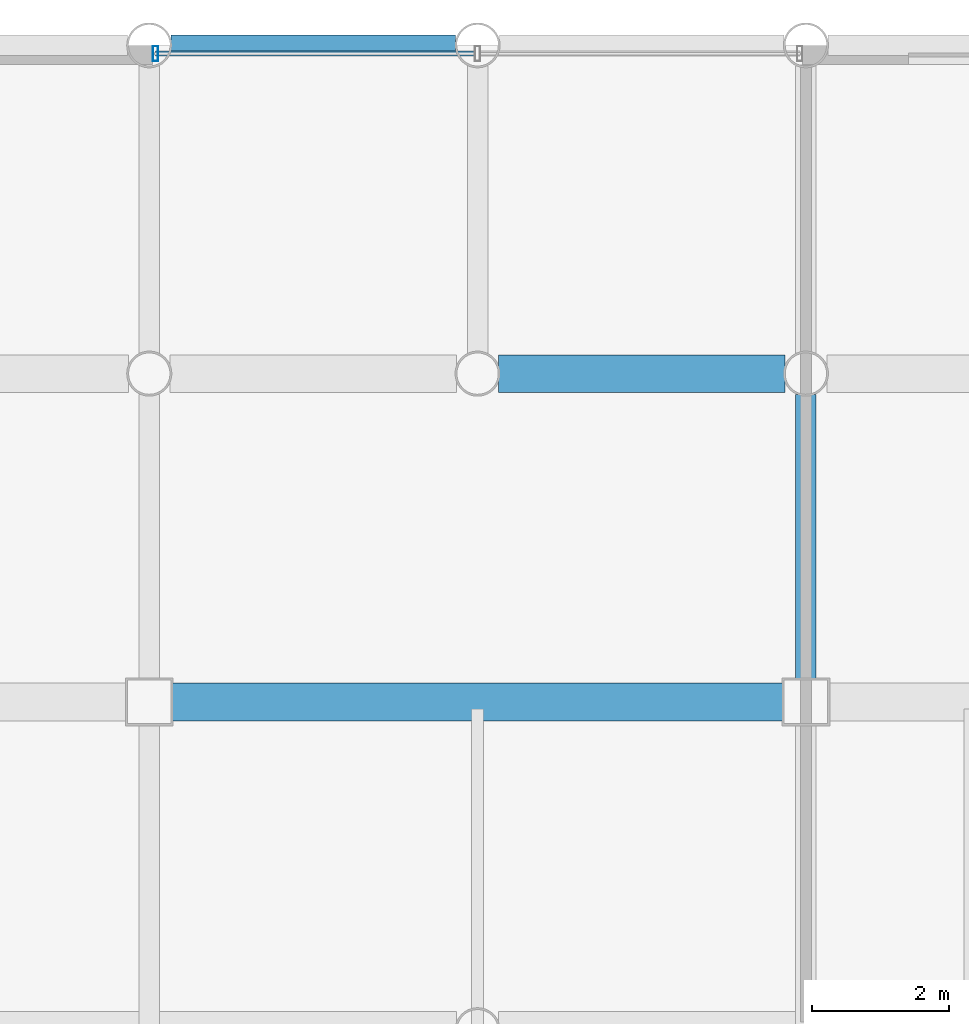
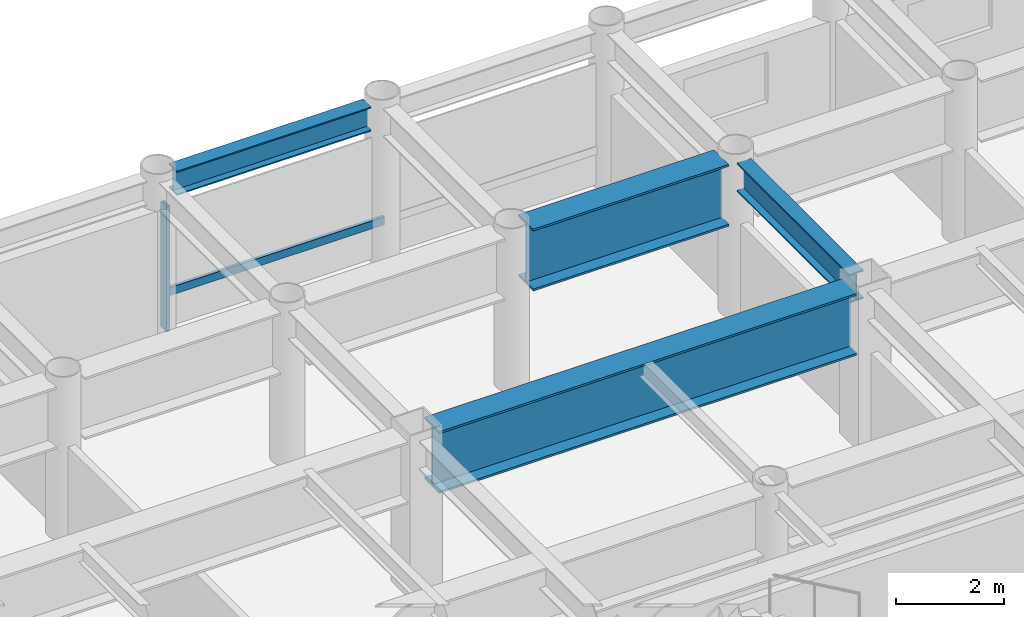
# One storey, part 11 of 23: 4 beams, 2 members, 1 element without a shape of its own.
"""IFC4 building model written with IfcOpenShell, lengths in metres."""

from ifc_helpers import new_model, si_unit, direction, frame, origin, origin_2d, place, context, subcontext, project, spatial, hollow_rectangle, i_section, extrude, material, layer, layer_set, material_profile, profile_set, type_object, element, aggregate, save


model = new_model("IFC4")

# Units and contexts
model_context = context("Model", 3, precision=1e-05, world=origin(), true_north=direction((0.0, 1.0)))
body_context = subcontext(model_context, "Body", "Model", "MODEL_VIEW")
ifc_project = project(units=[si_unit("LENGTHUNIT", "METRE"), si_unit("AREAUNIT", "SQUARE_METRE"), si_unit("VOLUMEUNIT", "CUBIC_METRE"), si_unit("PLANEANGLEUNIT", "RADIAN"), si_unit("MASSUNIT", "GRAM", prefix="KILO")], contexts=[model_context])

# Site, building, storey
site_placement = place(None, origin())
site = spatial("IfcSite", under=ifc_project, at=site_placement, CompositionType="ELEMENT")
building_placement = place(site_placement, origin())
building = spatial("IfcBuilding", under=site, at=building_placement, Name="Kallvorn Hotel Tower", CompositionType="ELEMENT")
storey_placement = place(building_placement, frame((0.0, 0.0, 121.10009765625)))
storey = spatial("IfcBuildingStorey", under=building, at=storey_placement, Name="L29", CompositionType="ELEMENT", Elevation=121.10009765625)

# Beams
ifc_material_1 = material(Name="Structural steel S355JR", Category="steel")
ifc_material_profile_1 = material_profile(ifc_material_1, i_section(OverallWidth=0.300048828125, OverallDepth=0.550048828125, WebThickness=0.014892578125, FlangeThickness=0.029052734375, at=origin_2d()), Name="HE 550 B")
ifc_profile_set_1 = profile_set([ifc_material_profile_1], Name="Structural steel S355JR")
beam_type_1 = type_object("IfcBeamType", Name="BM_HE550B", PredefinedType="SPANDREL", material=ifc_profile_set_1)
beam_1_placement = place(storey_placement, frame((-4.47998046875, 24.0, 3.244873046875), z_axis=(1.0, 0.0, 0.0), x_axis=(0.0, 1.0, 0.0)))
element("IfcBeam", 1, at=beam_1_placement, inside=storey, type_object=beam_type_1, Name="L30 Perimeter Spandrel 177", PredefinedType="SPANDREL", context=body_context, shape_type="SweptSolid", body=[
    extrude(i_section(OverallWidth=0.300048828125, OverallDepth=0.550048828125, WebThickness=0.014892578125, FlangeThickness=0.029052734375, at=origin_2d()), origin(), (0.0, 0.0, 1.0), 4.159912109375),
])
ifc_material_2 = material(Name="Structural steel S355JR", Category="steel")
ifc_material_profile_2 = material_profile(ifc_material_2, i_section(OverallWidth=0.300048828125, OverallDepth=0.64990234375, WebThickness=0.01611328125, FlangeThickness=0.031005859375, at=origin_2d()), Name="HE 650 B")
ifc_profile_set_2 = profile_set([ifc_material_profile_2], Name="Structural steel S355JR")
beam_type_2 = type_object("IfcBeamType", Name="BM_HE650B", PredefinedType="BEAM", material=ifc_profile_set_2)
beam_2_placement = place(storey_placement, frame((4.800048828125, 14.72509765625, 3.19482421875), z_axis=(0.0, 1.0, 0.0), x_axis=(-1.0, 0.0, 0.0)))
element("IfcBeam", 2, at=beam_2_placement, inside=storey, type_object=beam_type_2, Name="L30 Primary Y-Girder 125", PredefinedType="BEAM", context=body_context, shape_type="SweptSolid", body=[
    extrude(i_section(OverallWidth=0.300048828125, OverallDepth=0.64990234375, WebThickness=0.01611328125, FlangeThickness=0.031005859375, at=origin_2d()), origin(), (0.0, 0.0, 1.0), 4.169921875),
])
ifc_material_3 = material(Name="Structural steel S355JR", Category="steel")
ifc_material_profile_3 = material_profile(ifc_material_3, i_section(OverallWidth=0.550048828125, OverallDepth=1.39990234375, WebThickness=0.02490234375, FlangeThickness=0.044921875, at=origin_2d()), Name="PG 1400x550x25x45")
ifc_profile_set_3 = profile_set([ifc_material_profile_3], Name="Structural steel S355JR")
beam_type_3 = type_object("IfcBeamType", Name="BM_PG_1400", PredefinedType="BEAM", material=ifc_profile_set_3)
beam_3_placement = place(storey_placement, frame((-4.47509765625, 14.39990234375, 2.81982421875), z_axis=(1.0, 0.0, 0.0), x_axis=(0.0, 1.0, 0.0)))
element("IfcBeam", 3, at=beam_3_placement, inside=storey, type_object=beam_type_3, Name="L30 Primary X-Girder 63", PredefinedType="BEAM", context=body_context, shape_type="SweptSolid", body=[
    extrude(i_section(OverallWidth=0.550048828125, OverallDepth=1.39990234375, WebThickness=0.02490234375, FlangeThickness=0.044921875, at=origin_2d()), origin(), (0.0, 0.0, 1.0), 8.9501953125),
])
beam_4_placement = place(storey_placement, frame((0.304931640625, 19.199951171875, 2.81982421875), z_axis=(1.0, 0.0, 0.0), x_axis=(0.0, 1.0, 0.0)))
element("IfcBeam", 4, at=beam_4_placement, inside=storey, type_object=beam_type_3, Name="L30 Primary X-Girder 75", PredefinedType="BEAM", context=body_context, shape_type="SweptSolid", body=[
    extrude(i_section(OverallWidth=0.550048828125, OverallDepth=1.39990234375, WebThickness=0.02490234375, FlangeThickness=0.044921875, at=origin_2d()), origin(), (0.0, 0.0, 1.0), 4.190185546875),
])

# Curtain wall, members
ifc_material_4 = material(Name="Thermally broken black-anodised aluminium AA 6063-T6", Category="aluminium")
ifc_layer = layer(ifc_material_4, 0.199951171875)
ifc_layer_set = layer_set([ifc_layer], Name="CW_SYS_3_HOTEL_LOW")
curtain_wall_type = type_object("IfcCurtainWallType", Name="CW_SYS_3_HOTEL_LOW", PredefinedType="USERDEFINED", material=ifc_layer_set)
curtain_wall_placement = place(storey_placement, origin())
curtain_wall = element("IfcCurtainWall", 5, at=curtain_wall_placement, inside=storey, type_object=curtain_wall_type, Name="L29 Dark-Glass Curtain Wall CW-L29-NC", ObjectType="UNITISED CURTAIN WALL", PredefinedType="USERDEFINED")
ifc_material_5 = material(Name="Thermally broken black-anodised aluminium AA 6063-T6", Category="aluminium")
ifc_material_profile_4 = material_profile(ifc_material_5, hollow_rectangle(XDim=0.080078125, YDim=0.219970703125, WallThickness=0.0048828125, at=origin_2d()), Name="MUL 220x80")
ifc_profile_set_4 = profile_set([ifc_material_profile_4], Name="Thermally broken black-anodised aluminium AA 6063-T6")
member_type_1 = type_object("IfcMemberType", Name="CW_MULLION_220x80", PredefinedType="MULLION", material=ifc_profile_set_4)
member_1_placement = place(storey_placement, frame((-4.7099609375, 23.8798828125, 0.02001953125), z_axis=(0.0, 0.0, 1.0), x_axis=(1.0, 0.0, 0.0)))
member_1 = element("IfcMember", 6, at=member_1_placement, type_object=member_type_1, Name="CW-L29-NC Mullion 00", PredefinedType="MULLION", context=body_context, shape_type="SweptSolid", body=[
    extrude(hollow_rectangle(XDim=0.080078125, YDim=0.219970703125, WallThickness=0.0048828125, at=origin_2d()), origin(), (0.0, 0.0, 1.0), 2.829833984375),
])
ifc_material_6 = material(Name="Thermally broken black-anodised aluminium AA 6063-T6", Category="aluminium")
ifc_material_profile_5 = material_profile(ifc_material_6, hollow_rectangle(XDim=0.070068359375, YDim=0.179931640625, WallThickness=0.00390625, at=origin_2d()), Name="TRN 180x70")
ifc_profile_set_5 = profile_set([ifc_material_profile_5], Name="Thermally broken black-anodised aluminium AA 6063-T6")
member_type_2 = type_object("IfcMemberType", Name="CW_TRANSOM_180x70", PredefinedType="USERDEFINED", material=ifc_profile_set_5)
member_2_placement = place(storey_placement, frame((-4.7099609375, 23.8798828125, 0.849853515625), z_axis=(1.0, 0.0, 0.0), x_axis=(0.0, 1.0, 0.0)))
member_2 = element("IfcMember", 7, at=member_2_placement, type_object=member_type_2, Name="CW-L29-NC Transom 00M", ObjectType="TRANSOM", PredefinedType="USERDEFINED", context=body_context, shape_type="SweptSolid", body=[
    extrude(hollow_rectangle(XDim=0.070068359375, YDim=0.179931640625, WallThickness=0.00390625, at=origin_2d()), origin(), (0.0, 0.0, 1.0), 4.669921875),
])
aggregate(curtain_wall, [member_1, member_2])

save(model, "model.ifc")
